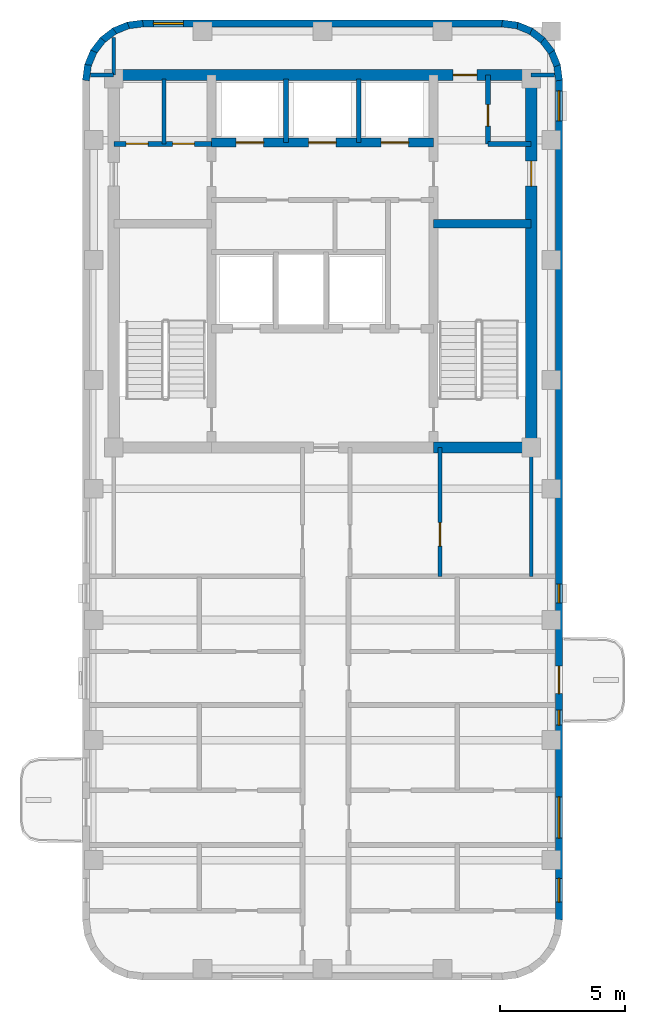
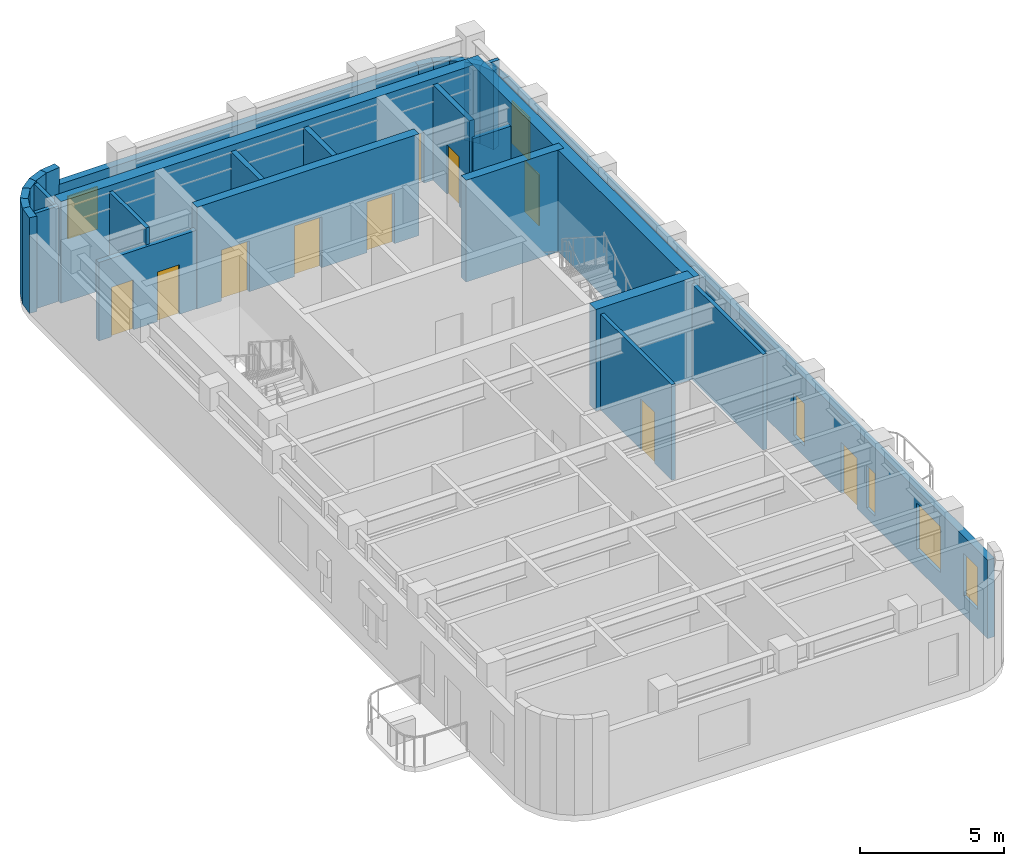
# One storey, part 4 of 6: 30 walls, 10 doors, 6 windows, 16 openings.
"""IFC4 building model written with IfcOpenShell, lengths in metres."""

from ifc_helpers import new_model, si_unit, direction, frame, frame_2d, origin, place, context, subcontext, project, spatial, rectangle, extrude, material, layer, layer_set, type_object, element, fill, save


model = new_model("IFC4")

# Units and contexts
model_context = context("Model", 3, precision=1e-05, world=origin(), true_north=direction((0.0, 1.0)))
body_context = subcontext(model_context, "Body", "Model", "MODEL_VIEW")
ifc_project = project(units=[si_unit("LENGTHUNIT", "METRE"), si_unit("AREAUNIT", "SQUARE_METRE"), si_unit("VOLUMEUNIT", "CUBIC_METRE"), si_unit("PLANEANGLEUNIT", "RADIAN"), si_unit("MASSUNIT", "GRAM", prefix="KILO")], contexts=[model_context])

# Site, building, storey
site_placement = place(None, origin())
site = spatial("IfcSite", under=ifc_project, at=site_placement, CompositionType="ELEMENT")
building_placement = place(site_placement, origin())
building = spatial("IfcBuilding", under=site, at=building_placement, Name="Orvandelia Arch Residences", CompositionType="ELEMENT")
storey_placement = place(building_placement, frame((0.0, 0.0, 248.39990234375)))
storey = spatial("IfcBuildingStorey", under=building, at=storey_placement, Name="L65", CompositionType="ELEMENT", Elevation=248.39990234375)

# Wall
ifc_material_1 = material(Name="Concrete C50/60", Category="concrete")
ifc_layer_1 = layer(ifc_material_1, 0.35009765625, Name="Concrete C50/60", Category="concrete")
ifc_layer_set_1 = layer_set([ifc_layer_1], Name="Concrete C50/60")
wall_type_1 = type_object("IfcWallType", Name="WL-CORE-350", PredefinedType="SHEAR", material=ifc_layer_set_1)
wall_1_placement = place(storey_placement, frame((18.840087890625, 39.85009765625, 0.0), z_axis=(0.0, 0.0, 1.0), x_axis=(1.0, 0.0, 0.0)))
element("IfcWall", 1, at=wall_1_placement, inside=storey, type_object=wall_type_1, Name="Core Shear Wall L65-HZ2", PredefinedType="SHEAR", context=body_context, shape_type="SweptSolid", body=[
    extrude(rectangle(XDim=3.909912109375, YDim=0.35009765625, at=frame_2d((1.955078125, 0.0))), origin(), (0.0, 0.0, 1.0), 4.300048828125),
])

# Wall, openings, doors
wall_2_placement = place(storey_placement, frame((9.9599609375, 43.10009765625, 0.0), z_axis=(0.0, 0.0, 1.0), x_axis=(1.0, 0.0, 0.0)))
wall_2 = element("IfcWall", 2, at=wall_2_placement, inside=storey, type_object=wall_type_1, Name="Core Shear Wall L65-HZ4", PredefinedType="SHEAR", context=body_context, shape_type="SweptSolid", body=[
    extrude(rectangle(XDim=8.880126953125, YDim=0.35009765625, at=frame_2d((4.43994140625, 0.0))), origin(), (0.0, 0.0, 1.0), 4.300048828125),
])
opening_1_placement = place(wall_2_placement, frame((0.989990234375, 0.0, 0.0)))
opening_1 = element("IfcOpeningElement", 3, at=opening_1_placement, cuts=wall_2, Name="Opening LD", PredefinedType="OPENING", context=body_context, shape_type="SweptSolid", body=[
    extrude(rectangle(XDim=1.10009765625, YDim=2.14990234375, at=frame_2d((0.550048828125, 1.074951171875))), frame((0.0, 0.18505859375, 0.0), z_axis=(0.0, -1.0, 0.0), x_axis=(1.0, 0.0, 0.0)), (0.0, 0.0, 1.0), 0.3701171875),
])
opening_2_placement = place(wall_2_placement, frame((3.889892578125, 0.0, 0.0)))
opening_2 = element("IfcOpeningElement", 4, at=opening_2_placement, cuts=wall_2, Name="Opening LD", PredefinedType="OPENING", context=body_context, shape_type="SweptSolid", body=[
    extrude(rectangle(XDim=1.10009765625, YDim=2.14990234375, at=frame_2d((0.550048828125, 1.074951171875))), frame((0.0, 0.18505859375, 0.0), z_axis=(0.0, -1.0, 0.0), x_axis=(1.0, 0.0, 0.0)), (0.0, 0.0, 1.0), 0.3701171875),
])
opening_3_placement = place(wall_2_placement, frame((6.7900390625, 0.0, 0.0)))
opening_3 = element("IfcOpeningElement", 5, at=opening_3_placement, cuts=wall_2, Name="Opening LD", PredefinedType="OPENING", context=body_context, shape_type="SweptSolid", body=[
    extrude(rectangle(XDim=1.10009765625, YDim=2.14990234375, at=frame_2d((0.550048828125, 1.074951171875))), frame((0.0, 0.18505859375, 0.0), z_axis=(0.0, -1.0, 0.0), x_axis=(1.0, 0.0, 0.0)), (0.0, 0.0, 1.0), 0.3701171875),
])
ifc_material_2 = material(Name="Brushed Stainless Steel Sliding Lift Door", Category="steel")
door_type_1 = type_object("IfcDoorType", Name="DR-LIFT-1100", OperationType="NOTDEFINED", PredefinedType="DOOR", material=ifc_material_2)
door_1_placement = place(opening_1_placement, origin())
door_1 = element("IfcDoor", 6, at=door_1_placement, inside=storey, type_object=door_type_1, Name="Lift Landing Door LD-PH1-L65", OperationType="SLIDING_TO_LEFT", OverallHeight=2.14990234375, OverallWidth=1.10009765625, PredefinedType="DOOR", context=body_context, shape_type="SweptSolid", body=[
    extrude(rectangle(XDim=1.10009765625, YDim=2.14990234375, at=frame_2d((0.550048828125, 1.074951171875))), frame((0.0, 0.02490234375, 0.0), z_axis=(0.0, -1.0, 0.0), x_axis=(1.0, 0.0, 0.0)), (0.0, 0.0, 1.0), 0.050048828125),
])
fill(opening_1, door_1)
door_2_placement = place(opening_2_placement, origin())
door_2 = element("IfcDoor", 7, at=door_2_placement, inside=storey, type_object=door_type_1, Name="Lift Landing Door LD-PH2-L65", OperationType="SLIDING_TO_RIGHT", OverallHeight=2.14990234375, OverallWidth=1.10009765625, PredefinedType="DOOR", context=body_context, shape_type="SweptSolid", body=[
    extrude(rectangle(XDim=1.10009765625, YDim=2.14990234375, at=frame_2d((0.550048828125, 1.074951171875))), frame((0.0, 0.02490234375, 0.0), z_axis=(0.0, -1.0, 0.0), x_axis=(1.0, 0.0, 0.0)), (0.0, 0.0, 1.0), 0.050048828125),
])
fill(opening_2, door_2)
door_3_placement = place(opening_3_placement, origin())
door_3 = element("IfcDoor", 8, at=door_3_placement, inside=storey, type_object=door_type_1, Name="Lift Landing Door LD-PH3-L65", OperationType="SLIDING_TO_LEFT", OverallHeight=2.14990234375, OverallWidth=1.10009765625, PredefinedType="DOOR", context=body_context, shape_type="SweptSolid", body=[
    extrude(rectangle(XDim=1.10009765625, YDim=2.14990234375, at=frame_2d((0.550048828125, 1.074951171875))), frame((0.0, 0.02490234375, 0.0), z_axis=(0.0, -1.0, 0.0), x_axis=(1.0, 0.0, 0.0)), (0.0, 0.0, 1.0), 0.050048828125),
])
fill(opening_3, door_3)

# Wall, opening, door
ifc_layer_2 = layer(ifc_material_1, 0.449951171875, Name="Concrete C50/60", Category="concrete")
ifc_layer_set_2 = layer_set([ifc_layer_2], Name="Concrete C50/60")
wall_type_2 = type_object("IfcWallType", Name="WL-CORE-450", PredefinedType="SHEAR", material=ifc_layer_set_2)
wall_3_placement = place(storey_placement, frame((22.75, 30.675048828125, 0.0), z_axis=(0.0, 0.0, 1.0), x_axis=(0.0, 1.0, 0.0)))
wall_3 = element("IfcWall", 9, at=wall_3_placement, inside=storey, type_object=wall_type_2, Name="Core Shear Wall L65-E", PredefinedType="SHEAR", context=body_context, shape_type="SweptSolid", body=[
    extrude(rectangle(XDim=15.349853515625, YDim=0.449951171875, at=frame_2d((7.6748046875, 0.0))), origin(), (0.0, 0.0, 1.0), 4.300048828125),
])
opening_4_placement = place(wall_3_placement, frame((10.675048828125, 0.0, 0.0)))
opening_4 = element("IfcOpeningElement", 10, at=opening_4_placement, cuts=wall_3, Name="Opening D6", PredefinedType="OPENING", context=body_context, shape_type="SweptSolid", body=[
    extrude(rectangle(XDim=1.0, YDim=2.14990234375, at=frame_2d((0.5, 1.074951171875))), frame((0.0, 0.23486328125, 0.0), z_axis=(0.0, -1.0, 0.0), x_axis=(1.0, 0.0, 0.0)), (0.0, 0.0, 1.0), 0.469970703125),
])
ifc_material_3 = material(Name="Smokeproof Painted Steel Fire Door", Category="steel")
door_type_2 = type_object("IfcDoorType", Name="DR-FD60-1000", OperationType="NOTDEFINED", PredefinedType="DOOR", material=ifc_material_3)
door_4_placement = place(opening_4_placement, origin())
door_4 = element("IfcDoor", 11, at=door_4_placement, inside=storey, type_object=door_type_2, Name="Core East Corridor Link Door L65", OperationType="SINGLE_SWING_LEFT", OverallHeight=2.14990234375, OverallWidth=1.0, PredefinedType="DOOR", context=body_context, shape_type="SweptSolid", body=[
    extrude(rectangle(XDim=1.0, YDim=2.14990234375, at=frame_2d((0.5, 1.074951171875))), frame((0.0, 0.02490234375, 0.0), z_axis=(0.0, -1.0, 0.0), x_axis=(1.0, 0.0, 0.0)), (0.0, 0.0, 1.0), 0.050048828125),
])
fill(opening_4, door_4)

wall_4_placement = place(storey_placement, frame((6.050048828125, 45.800048828125, 0.0), z_axis=(0.0, 0.0, 1.0), x_axis=(1.0, 0.0, 0.0)))
wall_4 = element("IfcWall", 12, at=wall_4_placement, inside=storey, type_object=wall_type_2, Name="Core Shear Wall L65-N", PredefinedType="SHEAR", context=body_context, shape_type="SweptSolid", body=[
    extrude(rectangle(XDim=16.699951171875, YDim=0.449951171875, at=frame_2d((8.35009765625, 0.0))), origin(), (0.0, 0.0, 1.0), 4.300048828125),
])
opening_5_placement = place(wall_4_placement, frame((13.570068359375, 0.0, 0.0)))
opening_5 = element("IfcOpeningElement", 13, at=opening_5_placement, cuts=wall_4, Name="Opening D2", PredefinedType="OPENING", context=body_context, shape_type="SweptSolid", body=[
    extrude(rectangle(XDim=0.949951171875, YDim=2.14990234375, at=frame_2d((0.47509765625, 1.074951171875))), frame((0.0, 0.23486328125, 0.0), z_axis=(0.0, -1.0, 0.0), x_axis=(1.0, 0.0, 0.0)), (0.0, 0.0, 1.0), 0.469970703125),
])
ifc_material_4 = material(Name="Solid-Core Timber Interior Fire Door", Category="wood")
door_type_3 = type_object("IfcDoorType", Name="DR-APT-950", OperationType="NOTDEFINED", PredefinedType="DOOR", material=ifc_material_4)
door_5_placement = place(opening_5_placement, origin())
door_5 = element("IfcDoor", 14, at=door_5_placement, inside=storey, type_object=door_type_3, Name="North Harbour Suite Entry Door L65", OperationType="SINGLE_SWING_LEFT", OverallHeight=2.14990234375, OverallWidth=0.949951171875, PredefinedType="DOOR", context=body_context, shape_type="SweptSolid", body=[
    extrude(rectangle(XDim=0.949951171875, YDim=2.14990234375, at=frame_2d((0.47509765625, 1.074951171875))), frame((0.0, 0.02490234375, 0.0), z_axis=(0.0, -1.0, 0.0), x_axis=(1.0, 0.0, 0.0)), (0.0, 0.0, 1.0), 0.050048828125),
])
fill(opening_5, door_5)

# Walls
wall_5_placement = place(storey_placement, frame((18.840087890625, 30.89990234375, 0.0), z_axis=(0.0, 0.0, 1.0), x_axis=(1.0, 0.0, 0.0)))
element("IfcWall", 15, at=wall_5_placement, inside=storey, type_object=wall_type_2, Name="Core Shear Wall L65-SE", PredefinedType="SHEAR", context=body_context, shape_type="SweptSolid", body=[
    extrude(rectangle(XDim=3.909912109375, YDim=0.449951171875, at=frame_2d((1.955078125, 0.0))), origin(), (0.0, 0.0, 1.0), 4.300048828125),
])
ifc_material_5 = material(Name="Precast concrete C40/50", Category="concrete")
ifc_layer_3 = layer(ifc_material_5, 0.280029296875, Name="Precast concrete C40/50", Category="concrete")
ifc_layer_set_3 = layer_set([ifc_layer_3], Name="Precast concrete C40/50")
wall_type_3 = type_object("IfcWallType", Name="WL-EXT-STONE-280", PredefinedType="STANDARD", material=ifc_layer_set_3)
for number, where, z_axis, x_axis, name in (
    (16, (4.938720703125, 45.581787109375, 0.0), (0.0, 0.0, 1.0), (0.130555323746, 0.9914410257, 0.0), "Coral-Limestone Precast Facade Wall L65-001"),
    (17, (5.010986328125, 46.16748046875, 0.0), (0.0, 0.0, 1.0), (0.382650053678, 0.92389335771, 0.0), "Coral-Limestone Precast Facade Wall L65-002"),
    (18, (5.232666015625, 46.71484375, 0.0), (0.0, 0.0, 1.0), (0.608693302629, 0.793405610854, 0.0), "Coral-Limestone Precast Facade Wall L65-003"),
    (19, (5.588134765625, 47.18603515625, 0.0), (0.0, 0.0, 1.0), (0.793405610854, 0.608693302629, 0.0), "Coral-Limestone Precast Facade Wall L65-004"),
):
    element("IfcWall", number, at=place(storey_placement, frame(where, z_axis=z_axis, x_axis=x_axis)), inside=storey, type_object=wall_type_3, Name=name, PredefinedType="STANDARD", context=body_context, shape_type="SweptSolid", body=[
        extrude(rectangle(XDim=0.62646484375, YDim=0.280029296875, at=frame_2d((0.313232421875, 0.0))), origin(), (0.0, 0.0, 1.0), 4.0400390625),
    ])
wall_6_placement = place(storey_placement, frame((6.0537109375, 47.54931640625, 0.0), z_axis=(0.0, 0.0, 1.0), x_axis=(0.923974080304, 0.382455093999, 0.0)))
element("IfcWall", 20, at=wall_6_placement, inside=storey, type_object=wall_type_3, Name="Coral-Limestone Precast Facade Wall L65-005", PredefinedType="STANDARD", context=body_context, shape_type="SweptSolid", body=[
    extrude(rectangle(XDim=0.626220703125, YDim=0.280029296875, at=frame_2d((0.31298828125, 0.0))), origin(), (0.0, 0.0, 1.0), 4.0400390625),
])
wall_7_placement = place(storey_placement, frame((6.59716796875, 47.779296875, 0.0), z_axis=(0.0, 0.0, 1.0), x_axis=(0.9914410257, 0.130555323746, 0.0)))
element("IfcWall", 21, at=wall_7_placement, inside=storey, type_object=wall_type_3, Name="Coral-Limestone Precast Facade Wall L65-006", PredefinedType="STANDARD", context=body_context, shape_type="SweptSolid", body=[
    extrude(rectangle(XDim=0.62646484375, YDim=0.280029296875, at=frame_2d((0.313232421875, 0.0))), origin(), (0.0, 0.0, 1.0), 4.0400390625),
])

# Wall, opening, window
wall_8_placement = place(storey_placement, frame((7.199951171875, 47.860107421875, 0.0), z_axis=(0.0, 0.0, 1.0), x_axis=(1.0, 0.0, 0.0)))
wall_8 = element("IfcWall", 22, at=wall_8_placement, inside=storey, type_object=wall_type_3, Name="Coral-Limestone Precast Facade Wall L65-007", PredefinedType="STANDARD", context=body_context, shape_type="SweptSolid", body=[
    extrude(rectangle(XDim=14.400146484375, YDim=0.280029296875, at=frame_2d((7.2001953125, 0.0))), origin(), (0.0, 0.0, 1.0), 3.320068359375),
])
opening_6_placement = place(wall_8_placement, frame((0.4326171875, 0.0, 0.800048828125)))
opening_6 = element("IfcOpeningElement", 23, at=opening_6_placement, cuts=wall_8, Name="Opening W3", PredefinedType="OPENING", context=body_context, shape_type="SweptSolid", body=[
    extrude(rectangle(XDim=1.199951171875, YDim=1.800048828125, at=frame_2d((0.60009765625, 0.89990234375))), frame((0.0, 0.14990234375, 0.0), z_axis=(0.0, -1.0, 0.0), x_axis=(1.0, 0.0, 0.0)), (0.0, 0.0, 1.0), 0.300048828125),
])
ifc_material_6 = material(Name="Tempered Low-E Insulated Glazing", Category="glass")
window_type_1 = type_object("IfcWindowType", Name="WIN-RES-1200x1800", PartitioningType="SINGLE_PANEL", PredefinedType="WINDOW", material=ifc_material_6)
window_1_placement = place(opening_6_placement, origin())
window_1 = element("IfcWindow", 24, at=window_1_placement, inside=storey, type_object=window_type_1, Name="Recessed Punched Window L65-001", OverallHeight=1.800048828125, OverallWidth=1.199951171875, PartitioningType="SINGLE_PANEL", PredefinedType="WINDOW", context=body_context, shape_type="SweptSolid", body=[
    extrude(rectangle(XDim=1.199951171875, YDim=1.800048828125, at=frame_2d((0.60009765625, 0.89990234375))), frame((0.0, 0.030029296875, 0.0), z_axis=(0.0, -1.0, 0.0), x_axis=(1.0, 0.0, 0.0)), (0.0, 0.0, 1.0), 0.06005859375),
])
fill(opening_6, window_1)

# Walls
for number, where, z_axis, x_axis, name in (
    (25, (21.581787109375, 47.861083984375, 0.0), (0.0, 0.0, 1.0), (0.9914410257, -0.130555323746, 0.0), "Coral-Limestone Precast Facade Wall L65-008"),
    (26, (22.16748046875, 47.788818359375, 0.0), (0.0, 0.0, 1.0), (0.924031075431, -0.382317370307, 0.0), "Coral-Limestone Precast Facade Wall L65-009"),
    (27, (22.71484375, 47.5673828125, 0.0), (0.0, 0.0, 1.0), (0.793405610854, -0.608693302629, 0.0), "Coral-Limestone Precast Facade Wall L65-010"),
    (28, (23.18603515625, 47.2119140625, 0.0), (0.0, 0.0, 1.0), (0.608693302629, -0.793405610854, 0.0), "Coral-Limestone Precast Facade Wall L65-011"),
    (29, (23.54931640625, 46.746337890625, 0.0), (0.0, 0.0, 1.0), (0.382317370307, -0.924031075431, 0.0), "Coral-Limestone Precast Facade Wall L65-012"),
    (30, (23.779296875, 46.202880859375, 0.0), (0.0, 0.0, 1.0), (0.130555323746, -0.9914410257, 0.0), "Coral-Limestone Precast Facade Wall L65-013"),
):
    element("IfcWall", number, at=place(storey_placement, frame(where, z_axis=z_axis, x_axis=x_axis)), inside=storey, type_object=wall_type_3, Name=name, PredefinedType="STANDARD", context=body_context, shape_type="SweptSolid", body=[
        extrude(rectangle(XDim=0.62646484375, YDim=0.280029296875, at=frame_2d((0.313232421875, 0.0))), origin(), (0.0, 0.0, 1.0), 3.320068359375),
    ])

# Wall, openings, door, windows
wall_9_placement = place(storey_placement, frame((23.860107421875, 45.60009765625, 0.0), z_axis=(0.0, 0.0, 1.0), x_axis=(0.0, -1.0, 0.0)))
wall_9 = element("IfcWall", 31, at=wall_9_placement, inside=storey, type_object=wall_type_3, Name="Coral-Limestone Precast Facade Wall L65-014", PredefinedType="STANDARD", context=body_context, shape_type="SweptSolid", body=[
    extrude(rectangle(XDim=33.60009765625, YDim=0.280029296875, at=frame_2d((16.800048828125, 0.0))), origin(), (0.0, 0.0, 1.0), 3.320068359375),
])
opening_7_placement = place(wall_9_placement, frame((23.449951171875, 0.0, 0.0)))
opening_7 = element("IfcOpeningElement", 32, at=opening_7_placement, cuts=wall_9, Name="Opening BD1", PredefinedType="OPENING", context=body_context, shape_type="SweptSolid", body=[
    extrude(rectangle(XDim=1.10009765625, YDim=2.14990234375, at=frame_2d((0.550048828125, 1.074951171875))), frame((0.0, 0.14990234375, 0.0), z_axis=(0.0, -1.0, 0.0), x_axis=(1.0, 0.0, 0.0)), (0.0, 0.0, 1.0), 0.300048828125),
])
opening_8_placement = place(wall_9_placement, frame((28.678955078125, 0.0, 0.800048828125)))
opening_8 = element("IfcOpeningElement", 33, at=opening_8_placement, cuts=wall_9, Name="Opening W9", PredefinedType="OPENING", context=body_context, shape_type="SweptSolid", body=[
    extrude(rectangle(XDim=1.64990234375, YDim=1.949951171875, at=frame_2d((0.824951171875, 0.97509765625))), frame((0.0, 0.14990234375, 0.0), z_axis=(0.0, -1.0, 0.0), x_axis=(1.0, 0.0, 0.0)), (0.0, 0.0, 1.0), 0.300048828125),
])
opening_9_placement = place(wall_9_placement, frame((0.4326171875, 0.0, 0.800048828125)))
opening_9 = element("IfcOpeningElement", 34, at=opening_9_placement, cuts=wall_9, Name="Opening W3", PredefinedType="OPENING", context=body_context, shape_type="SweptSolid", body=[
    extrude(rectangle(XDim=1.199951171875, YDim=1.800048828125, at=frame_2d((0.60009765625, 0.89990234375))), frame((0.0, 0.14990234375, 0.0), z_axis=(0.0, -1.0, 0.0), x_axis=(1.0, 0.0, 0.0)), (0.0, 0.0, 1.0), 0.300048828125),
])
opening_10_placement = place(wall_9_placement, frame((31.9345703125, 0.0, 0.800048828125)))
opening_10 = element("IfcOpeningElement", 35, at=opening_10_placement, cuts=wall_9, Name="Opening W4", PredefinedType="OPENING", context=body_context, shape_type="SweptSolid", body=[
    extrude(rectangle(XDim=0.949951171875, YDim=1.800048828125, at=frame_2d((0.47509765625, 0.89990234375))), frame((0.0, 0.14990234375, 0.0), z_axis=(0.0, -1.0, 0.0), x_axis=(1.0, 0.0, 0.0)), (0.0, 0.0, 1.0), 0.300048828125),
])
opening_11_placement = place(wall_9_placement, frame((25.202392578125, 0.0, 0.449951171875)))
opening_11 = element("IfcOpeningElement", 36, at=opening_11_placement, cuts=wall_9, Name="Opening W12", PredefinedType="OPENING", context=body_context, shape_type="SweptSolid", body=[
    extrude(rectangle(XDim=0.60009765625, YDim=1.800048828125, at=frame_2d((0.300048828125, 0.89990234375))), frame((0.0, 0.14990234375, 0.0), z_axis=(0.0, -1.0, 0.0), x_axis=(1.0, 0.0, 0.0)), (0.0, 0.0, 1.0), 0.300048828125),
])
opening_12_placement = place(wall_9_placement, frame((20.16748046875, 0.0, 0.449951171875)))
opening_12 = element("IfcOpeningElement", 37, at=opening_12_placement, cuts=wall_9, Name="Opening W11", PredefinedType="OPENING", context=body_context, shape_type="SweptSolid", body=[
    extrude(rectangle(XDim=0.75, YDim=1.800048828125, at=frame_2d((0.375, 0.89990234375))), frame((0.0, 0.14990234375, 0.0), z_axis=(0.0, -1.0, 0.0), x_axis=(1.0, 0.0, 0.0)), (0.0, 0.0, 1.0), 0.300048828125),
])
ifc_material_7 = material(Name="Thermally Broken Aluminium Glazed Door", Category="aluminium")
door_type_4 = type_object("IfcDoorType", Name="DR-BAL-GLAZ-1100", OperationType="NOTDEFINED", PredefinedType="DOOR", material=ifc_material_7)
door_6_placement = place(opening_7_placement, origin())
door_6 = element("IfcDoor", 38, at=door_6_placement, inside=storey, type_object=door_type_4, Name="Tree Balcony Glazed Door BAL-L65-W2", OperationType="SINGLE_SWING_LEFT", OverallHeight=2.14990234375, OverallWidth=1.10009765625, PredefinedType="DOOR", context=body_context, shape_type="SweptSolid", body=[
    extrude(rectangle(XDim=1.10009765625, YDim=2.14990234375, at=frame_2d((0.550048828125, 1.074951171875))), frame((0.0, 0.02490234375, 0.0), z_axis=(0.0, -1.0, 0.0), x_axis=(1.0, 0.0, 0.0)), (0.0, 0.0, 1.0), 0.050048828125),
])
fill(opening_7, door_6)
window_type_2 = type_object("IfcWindowType", Name="WIN-BED-0750x1800", PartitioningType="SINGLE_PANEL", PredefinedType="WINDOW", material=ifc_material_6)
window_2_placement = place(opening_12_placement, origin())
window_2 = element("IfcWindow", 39, at=window_2_placement, inside=storey, type_object=window_type_2, Name="Recessed Punched Window L65-006", OverallHeight=1.800048828125, OverallWidth=0.75, PartitioningType="SINGLE_PANEL", PredefinedType="WINDOW", context=body_context, shape_type="SweptSolid", body=[
    extrude(rectangle(XDim=0.75, YDim=1.800048828125, at=frame_2d((0.375, 0.89990234375))), frame((0.0, 0.030029296875, 0.0), z_axis=(0.0, -1.0, 0.0), x_axis=(1.0, 0.0, 0.0)), (0.0, 0.0, 1.0), 0.06005859375),
])
fill(opening_12, window_2)
window_type_3 = type_object("IfcWindowType", Name="WIN-LAN-0600x1800", PartitioningType="SINGLE_PANEL", PredefinedType="WINDOW", material=ifc_material_6)
window_3_placement = place(opening_11_placement, origin())
window_3 = element("IfcWindow", 40, at=window_3_placement, inside=storey, type_object=window_type_3, Name="Recessed Punched Window L65-005", OverallHeight=1.800048828125, OverallWidth=0.60009765625, PartitioningType="SINGLE_PANEL", PredefinedType="WINDOW", context=body_context, shape_type="SweptSolid", body=[
    extrude(rectangle(XDim=0.60009765625, YDim=1.800048828125, at=frame_2d((0.300048828125, 0.89990234375))), frame((0.0, 0.030029296875, 0.0), z_axis=(0.0, -1.0, 0.0), x_axis=(1.0, 0.0, 0.0)), (0.0, 0.0, 1.0), 0.06005859375),
])
fill(opening_11, window_3)
window_type_4 = type_object("IfcWindowType", Name="WIN-RES-0950x1800", PartitioningType="SINGLE_PANEL", PredefinedType="WINDOW", material=ifc_material_6)
window_4_placement = place(opening_10_placement, origin())
window_4 = element("IfcWindow", 41, at=window_4_placement, inside=storey, type_object=window_type_4, Name="Recessed Punched Window L65-004", OverallHeight=1.800048828125, OverallWidth=0.949951171875, PartitioningType="SINGLE_PANEL", PredefinedType="WINDOW", context=body_context, shape_type="SweptSolid", body=[
    extrude(rectangle(XDim=0.949951171875, YDim=1.800048828125, at=frame_2d((0.47509765625, 0.89990234375))), frame((0.0, 0.030029296875, 0.0), z_axis=(0.0, -1.0, 0.0), x_axis=(1.0, 0.0, 0.0)), (0.0, 0.0, 1.0), 0.06005859375),
])
fill(opening_10, window_4)
window_5_placement = place(opening_9_placement, origin())
window_5 = element("IfcWindow", 42, at=window_5_placement, inside=storey, type_object=window_type_1, Name="Recessed Punched Window L65-003", OverallHeight=1.800048828125, OverallWidth=1.199951171875, PartitioningType="SINGLE_PANEL", PredefinedType="WINDOW", context=body_context, shape_type="SweptSolid", body=[
    extrude(rectangle(XDim=1.199951171875, YDim=1.800048828125, at=frame_2d((0.60009765625, 0.89990234375))), frame((0.0, 0.030029296875, 0.0), z_axis=(0.0, -1.0, 0.0), x_axis=(1.0, 0.0, 0.0)), (0.0, 0.0, 1.0), 0.06005859375),
])
fill(opening_9, window_5)
window_type_5 = type_object("IfcWindowType", Name="WIN-UPP-1650x1950", PartitioningType="SINGLE_PANEL", PredefinedType="WINDOW", material=ifc_material_6)
window_6_placement = place(opening_8_placement, origin())
window_6 = element("IfcWindow", 43, at=window_6_placement, inside=storey, type_object=window_type_5, Name="Recessed Punched Window L65-002", OverallHeight=1.949951171875, OverallWidth=1.64990234375, PartitioningType="SINGLE_PANEL", PredefinedType="WINDOW", context=body_context, shape_type="SweptSolid", body=[
    extrude(rectangle(XDim=1.64990234375, YDim=1.949951171875, at=frame_2d((0.824951171875, 0.97509765625))), frame((0.0, 0.030029296875, 0.0), z_axis=(0.0, -1.0, 0.0), x_axis=(1.0, 0.0, 0.0)), (0.0, 0.0, 1.0), 0.06005859375),
])
fill(opening_8, window_6)

# Walls
ifc_material_8 = material(Name="Acoustic Gypsum Stud Partition")
ifc_layer_4 = layer(ifc_material_8, 0.14990234375, Name="Acoustic Gypsum Stud Partition")
ifc_layer_set_4 = layer_set([ifc_layer_4], Name="Acoustic Gypsum Stud Partition")
wall_type_4 = type_object("IfcWallType", Name="WL-PART-150", PredefinedType="PARTITIONING", material=ifc_layer_set_4)
wall_10_placement = place(storey_placement, frame((8.06005859375, 43.050048828125, 0.0), z_axis=(0.0, 0.0, 1.0), x_axis=(0.0, 1.0, 0.0)))
element("IfcWall", 44, at=wall_10_placement, inside=storey, type_object=wall_type_4, Name="Interior Partition Wall WL-L65-CRELC-M", PredefinedType="PARTITIONING", context=body_context, shape_type="SweptSolid", body=[
    extrude(rectangle(XDim=2.599853515625, YDim=0.14990234375, at=frame_2d((1.2998046875, 0.0))), origin(), (0.0, 0.0, 1.0), 4.0400390625),
])
wall_11_placement = place(storey_placement, frame((22.75, 25.75, 0.0), z_axis=(0.0, 0.0, 1.0), x_axis=(0.0, 1.0, 0.0)))
element("IfcWall", 45, at=wall_11_placement, inside=storey, type_object=wall_type_4, Name="Interior Partition Wall WL-L65-HI-WE", PredefinedType="PARTITIONING", context=body_context, shape_type="SweptSolid", body=[
    extrude(rectangle(XDim=5.14990234375, YDim=0.14990234375, at=frame_2d((2.574951171875, 0.0))), origin(), (0.0, 0.0, 1.0), 4.0400390625),
])

# Wall, opening, door
wall_12_placement = place(storey_placement, frame((19.10009765625, 25.75, 0.0), z_axis=(0.0, 0.0, 1.0), x_axis=(0.0, 1.0, 0.0)))
wall_12 = element("IfcWall", 46, at=wall_12_placement, inside=storey, type_object=wall_type_4, Name="Interior Partition Wall WL-L65-HIR-M2", PredefinedType="PARTITIONING", context=body_context, shape_type="SweptSolid", body=[
    extrude(rectangle(XDim=5.14990234375, YDim=0.14990234375, at=frame_2d((2.574951171875, 0.0))), origin(), (0.0, 0.0, 1.0), 4.0400390625),
])
opening_13_placement = place(wall_12_placement, frame((1.199951171875, 0.0, 0.0)))
opening_13 = element("IfcOpeningElement", 47, at=opening_13_placement, cuts=wall_12, Name="Opening D2", PredefinedType="OPENING", context=body_context, shape_type="SweptSolid", body=[
    extrude(rectangle(XDim=0.949951171875, YDim=2.14990234375, at=frame_2d((0.47509765625, 1.074951171875))), frame((0.0, 0.0849609375, 0.0), z_axis=(0.0, -1.0, 0.0), x_axis=(1.0, 0.0, 0.0)), (0.0, 0.0, 1.0), 0.169921875),
])
door_7_placement = place(opening_13_placement, origin())
door_7 = element("IfcDoor", 48, at=door_7_placement, inside=storey, type_object=door_type_3, Name="DR-L65-HIR2B", OperationType="SINGLE_SWING_LEFT", OverallHeight=2.14990234375, OverallWidth=0.949951171875, PredefinedType="DOOR", context=body_context, shape_type="SweptSolid", body=[
    extrude(rectangle(XDim=0.949951171875, YDim=2.14990234375, at=frame_2d((0.47509765625, 1.074951171875))), frame((0.0, 0.02490234375, 0.0), z_axis=(0.0, -1.0, 0.0), x_axis=(1.0, 0.0, 0.0)), (0.0, 0.0, 1.0), 0.050048828125),
])
fill(opening_13, door_7)

# Walls
wall_13_placement = place(storey_placement, frame((5.1201171875, 45.800048828125, 0.0), z_axis=(0.0, 0.0, 1.0), x_axis=(1.0, 0.0, 0.0)))
element("IfcWall", 49, at=wall_13_placement, inside=storey, type_object=wall_type_4, Name="Interior Partition Wall WL-L65-WF-N", PredefinedType="PARTITIONING", context=body_context, shape_type="SweptSolid", body=[
    extrude(rectangle(XDim=0.929931640625, YDim=0.14990234375, at=frame_2d((0.46484375, 0.0))), origin(), (0.0, 0.0, 1.0), 4.0400390625),
])
wall_14_placement = place(storey_placement, frame((6.050048828125, 45.800048828125, 0.0), z_axis=(0.0, 0.0, 1.0), x_axis=(0.0, 1.0, 0.0)))
element("IfcWall", 50, at=wall_14_placement, inside=storey, type_object=wall_type_4, Name="Interior Partition Wall WL-L65-NHI-W6", PredefinedType="PARTITIONING", context=body_context, shape_type="SweptSolid", body=[
    extrude(rectangle(XDim=1.5, YDim=0.14990234375, at=frame_2d((0.75, 0.0))), origin(), (0.0, 0.0, 1.0), 4.0400390625),
])
wall_15_placement = place(storey_placement, frame((22.75, 45.800048828125, 0.0), z_axis=(0.0, 0.0, 1.0), x_axis=(1.0, 0.0, 0.0)))
element("IfcWall", 51, at=wall_15_placement, inside=storey, type_object=wall_type_4, Name="Interior Partition Wall WL-L65-SEFLK-N", PredefinedType="PARTITIONING", context=body_context, shape_type="SweptSolid", body=[
    extrude(rectangle(XDim=0.929931640625, YDim=0.14990234375, at=frame_2d((0.46484375, 0.0))), origin(), (0.0, 0.0, 1.0), 4.0400390625),
])
ifc_material_9 = material(Name="Fire-Rated Shaft Enclosure Wall")
ifc_layer_5 = layer(ifc_material_9, 0.199951171875, Name="Fire-Rated Shaft Enclosure Wall")
ifc_layer_set_5 = layer_set([ifc_layer_5], Name="Fire-Rated Shaft Enclosure Wall")
wall_type_5 = type_object("IfcWallType", Name="WL-SHAFT-200", PredefinedType="POLYGONAL", material=ifc_layer_set_5)
wall_16_placement = place(storey_placement, frame((21.02001953125, 43.050048828125, 0.0), z_axis=(0.0, 0.0, 1.0), x_axis=(1.0, 0.0, 0.0)))
element("IfcWall", 52, at=wall_16_placement, inside=storey, type_object=wall_type_5, Name="Interior Partition Wall WL-L65-HLE-N", PredefinedType="POLYGONAL", context=body_context, shape_type="SweptSolid", body=[
    extrude(rectangle(XDim=1.72998046875, YDim=0.199951171875, at=frame_2d((0.864990234375, 0.0))), origin(), (0.0, 0.0, 1.0), 3.320068359375),
])

# Wall, opening, door
wall_17_placement = place(storey_placement, frame((21.02001953125, 43.050048828125, 0.0), z_axis=(0.0, 0.0, 1.0), x_axis=(0.0, 1.0, 0.0)))
wall_17 = element("IfcWall", 53, at=wall_17_placement, inside=storey, type_object=wall_type_5, Name="Interior Partition Wall WL-L65-HLE-W21", PredefinedType="POLYGONAL", context=body_context, shape_type="SweptSolid", body=[
    extrude(rectangle(XDim=2.75, YDim=0.199951171875, at=frame_2d((1.375, 0.0))), origin(), (0.0, 0.0, 1.0), 4.0400390625),
])
opening_14_placement = place(wall_17_placement, frame((0.699951171875, 0.0, 0.0)))
opening_14 = element("IfcOpeningElement", 54, at=opening_14_placement, cuts=wall_17, Name="Opening D4", PredefinedType="OPENING", context=body_context, shape_type="SweptSolid", body=[
    extrude(rectangle(XDim=0.860107421875, YDim=2.10009765625, at=frame_2d((0.43017578125, 1.050048828125))), frame((0.0, 0.10986328125, 0.0), z_axis=(0.0, -1.0, 0.0), x_axis=(1.0, 0.0, 0.0)), (0.0, 0.0, 1.0), 0.219970703125),
])
ifc_material_10 = material(Name="Moisture-Sealed Timber Bathroom Door", Category="wood")
door_type_5 = type_object("IfcDoorType", Name="DR-WET-900", OperationType="NOTDEFINED", PredefinedType="DOOR", material=ifc_material_10)
door_8_placement = place(opening_14_placement, origin())
door_8 = element("IfcDoor", 55, at=door_8_placement, inside=storey, type_object=door_type_5, Name="DR-L65-CSB2", OperationType="SINGLE_SWING_LEFT", OverallHeight=2.10009765625, OverallWidth=0.860107421875, PredefinedType="DOOR", context=body_context, shape_type="SweptSolid", body=[
    extrude(rectangle(XDim=0.860107421875, YDim=2.10009765625, at=frame_2d((0.43017578125, 1.050048828125))), frame((0.0, 0.02490234375, 0.0), z_axis=(0.0, -1.0, 0.0), x_axis=(1.0, 0.0, 0.0)), (0.0, 0.0, 1.0), 0.050048828125),
])
fill(opening_14, door_8)

# Wall, openings, doors
wall_18_placement = place(storey_placement, frame((6.050048828125, 43.050048828125, 0.0), z_axis=(0.0, 0.0, 1.0), x_axis=(1.0, 0.0, 0.0)))
wall_18 = element("IfcWall", 56, at=wall_18_placement, inside=storey, type_object=wall_type_5, Name="Interior Partition Wall WL-L65-HLW-N", PredefinedType="POLYGONAL", context=body_context, shape_type="SweptSolid", body=[
    extrude(rectangle(XDim=3.909912109375, YDim=0.199951171875, at=frame_2d((1.955078125, 0.0))), origin(), (0.0, 0.0, 1.0), 3.320068359375),
])
opening_15_placement = place(wall_18_placement, frame((0.5, 0.0, 0.0)))
opening_15 = element("IfcOpeningElement", 57, at=opening_15_placement, cuts=wall_18, Name="Opening D5", PredefinedType="OPENING", context=body_context, shape_type="SweptSolid", body=[
    extrude(rectangle(XDim=0.8798828125, YDim=2.10009765625, at=frame_2d((0.43994140625, 1.050048828125))), frame((0.0, 0.10986328125, 0.0), z_axis=(0.0, -1.0, 0.0), x_axis=(1.0, 0.0, 0.0)), (0.0, 0.0, 1.0), 0.219970703125),
])
opening_16_placement = place(wall_18_placement, frame((2.35009765625, 0.0, 0.0)))
opening_16 = element("IfcOpeningElement", 58, at=opening_16_placement, cuts=wall_18, Name="Opening D5", PredefinedType="OPENING", context=body_context, shape_type="SweptSolid", body=[
    extrude(rectangle(XDim=0.8798828125, YDim=2.10009765625, at=frame_2d((0.43994140625, 1.050048828125))), frame((0.0, 0.10986328125, 0.0), z_axis=(0.0, -1.0, 0.0), x_axis=(1.0, 0.0, 0.0)), (0.0, 0.0, 1.0), 0.219970703125),
])
ifc_material_11 = material(Name="Painted Galvanised Steel Service Door", Category="steel")
door_type_6 = type_object("IfcDoorType", Name="DR-SRV-880", OperationType="NOTDEFINED", PredefinedType="DOOR", material=ifc_material_11)
door_9_placement = place(opening_15_placement, origin())
door_9 = element("IfcDoor", 59, at=door_9_placement, inside=storey, type_object=door_type_6, Name="DR-L65-CRELC1", OperationType="SINGLE_SWING_LEFT", OverallHeight=2.10009765625, OverallWidth=0.8798828125, PredefinedType="DOOR", context=body_context, shape_type="SweptSolid", body=[
    extrude(rectangle(XDim=0.8798828125, YDim=2.10009765625, at=frame_2d((0.43994140625, 1.050048828125))), frame((0.0, 0.02490234375, 0.0), z_axis=(0.0, -1.0, 0.0), x_axis=(1.0, 0.0, 0.0)), (0.0, 0.0, 1.0), 0.050048828125),
])
fill(opening_15, door_9)
door_10_placement = place(opening_16_placement, origin())
door_10 = element("IfcDoor", 60, at=door_10_placement, inside=storey, type_object=door_type_6, Name="DR-L65-CRELC2", OperationType="SINGLE_SWING_RIGHT", OverallHeight=2.10009765625, OverallWidth=0.8798828125, PredefinedType="DOOR", context=body_context, shape_type="SweptSolid", body=[
    extrude(rectangle(XDim=0.8798828125, YDim=2.10009765625, at=frame_2d((0.43994140625, 1.050048828125))), frame((0.0, 0.02490234375, 0.0), z_axis=(0.0, -1.0, 0.0), x_axis=(1.0, 0.0, 0.0)), (0.0, 0.0, 1.0), 0.050048828125),
])
fill(opening_16, door_10)

# Walls
for number, where, z_axis, x_axis, name in (
    (61, (12.949951171875, 43.10009765625, 0.0), (0.0, 0.0, 1.0), (0.0, 1.0, 0.0), "Interior Partition Wall WL-L65-PHD1"),
    (62, (15.85009765625, 43.10009765625, 0.0), (0.0, 0.0, 1.0), (0.0, 1.0, 0.0), "Interior Partition Wall WL-L65-PHD2"),
):
    element("IfcWall", number, at=place(storey_placement, frame(where, z_axis=z_axis, x_axis=x_axis)), inside=storey, type_object=wall_type_5, Name=name, PredefinedType="POLYGONAL", context=body_context, shape_type="SweptSolid", body=[
        extrude(rectangle(XDim=2.5498046875, YDim=0.199951171875, at=frame_2d((1.27490234375, 0.0))), origin(), (0.0, 0.0, 1.0), 4.0400390625),
    ])

save(model, "model.ifc")
